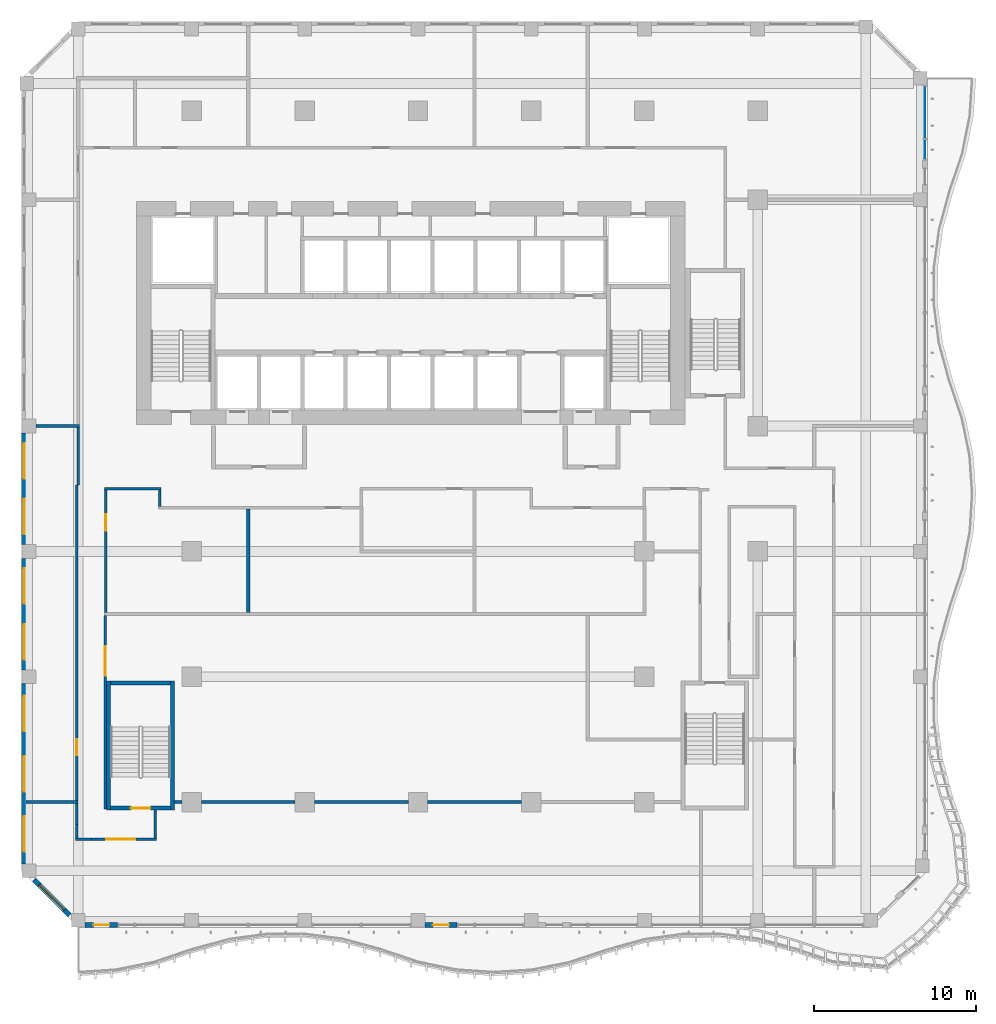
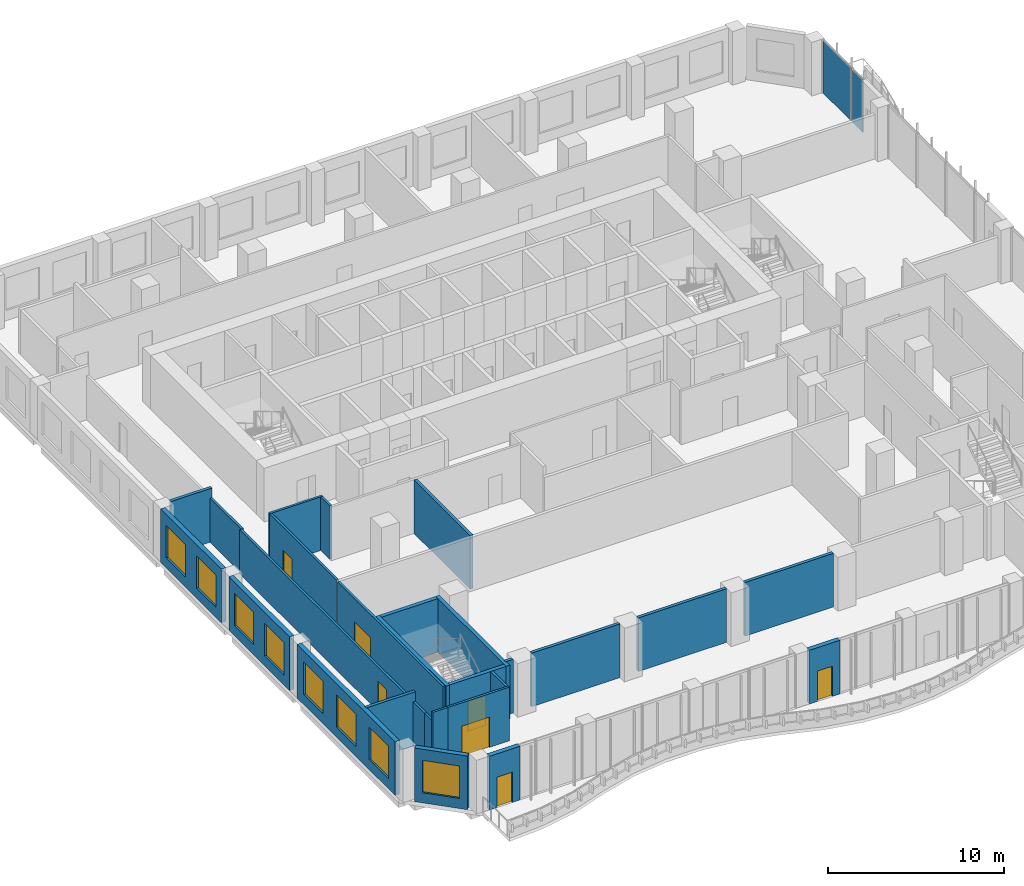
# One storey, part 12 of 27: 28 walls, 8 windows, 7 doors, 2 plates, 15 openings, 2 elements without a shape of their own.
"""IFC4 building model written with IfcOpenShell, lengths in metres."""

from ifc_helpers import new_model, si_unit, direction, frame, frame_2d, origin, origin_2d, place, context, subcontext, project, spatial, rectangle, extrude, source, transform, mapped, material, layer, layer_set, type_object, element, fill, aggregate, save


model = new_model("IFC4")

# Units and contexts
model_context = context("Model", 3, precision=1e-05, world=origin(), true_north=direction((0.0, 1.0)))
body_context = subcontext(model_context, "Body", "Model", "MODEL_VIEW")
ifc_project = project(units=[si_unit("LENGTHUNIT", "METRE"), si_unit("AREAUNIT", "SQUARE_METRE"), si_unit("VOLUMEUNIT", "CUBIC_METRE"), si_unit("PLANEANGLEUNIT", "RADIAN"), si_unit("MASSUNIT", "GRAM", prefix="KILO")], contexts=[model_context])

# Site, building, storey
site_placement = place(None, origin())
site = spatial("IfcSite", under=ifc_project, at=site_placement, CompositionType="ELEMENT")
building_placement = place(site_placement, origin())
building = spatial("IfcBuilding", under=site, at=building_placement, Name="Kilnfold Tower and Market Hall", CompositionType="ELEMENT")
storey_placement = place(building_placement, frame((0.0, 0.0, 112.60009765625)))
storey = spatial("IfcBuildingStorey", under=building, at=storey_placement, Name="L26", CompositionType="ELEMENT", Elevation=112.60009765625)

# Curtain wall, plate
ifc_material_1 = material(Name="Aluminium and double glazing", Category="aluminium")
curtain_wall_type = type_object("IfcCurtainWallType", Name="CW OF2 VALLEY GLAZING", PredefinedType="NOTDEFINED", material=ifc_material_1)
curtain_wall_1_placement = place(storey_placement, origin())
curtain_wall_1 = element("IfcCurtainWall", 1, at=curtain_wall_1_placement, inside=storey, type_object=curtain_wall_type, Name="Curtain wall CW2 L26 E", PredefinedType="NOTDEFINED")
ifc_material_2 = material(Name="Double glazed unit")
ifc_layer_1 = layer(ifc_material_2, 0.031982421875)
ifc_layer_set_1 = layer_set([ifc_layer_1], Name="Double glazed unit")
plate_type = type_object("IfcPlateType", Name="GLAZING PANEL 32", PredefinedType="CURTAIN_PANEL", material=ifc_layer_set_1)
shared_shape_1 = source(origin(), body_context, "Body", "SweptSolid", [
    extrude(rectangle(XDim=3.205078125, YDim=0.031982421875, at=origin_2d()), origin(), (0.0, 0.0, 1.0), 3.659912109375),
])
plate_1_placement = place(storey_placement, frame((32.85009765625, 27.41259765625, 0.0), z_axis=(0.0, 0.0, 1.0), x_axis=(0.0, 1.0, 0.0)))
plate_1 = element("IfcPlate", 2, at=plate_1_placement, type_object=plate_type, Name="CW2 panel 1.1", PredefinedType="CURTAIN_PANEL", context=body_context, shape_type="MappedRepresentation", body=[
    mapped(shared_shape_1, transform((0.0, 0.0, 0.0))),
])
aggregate(curtain_wall_1, [plate_1])

curtain_wall_2_placement = place(storey_placement, origin())
curtain_wall_2 = element("IfcCurtainWall", 3, at=curtain_wall_2_placement, inside=storey, type_object=curtain_wall_type, Name="Curtain wall CW2 L26 E", PredefinedType="NOTDEFINED")
shared_shape_2 = source(origin(), body_context, "Body", "SweptSolid", [
    extrude(rectangle(XDim=1.205078125, YDim=0.031982421875, at=origin_2d()), origin(), (0.0, 0.0, 1.0), 3.659912109375),
])
plate_2_placement = place(storey_placement, frame((32.85009765625, 25.08740234375, 0.0), z_axis=(0.0, 0.0, 1.0), x_axis=(0.0, 1.0, 0.0)))
plate_2 = element("IfcPlate", 4, at=plate_2_placement, type_object=plate_type, Name="CW2 panel 1.1", PredefinedType="CURTAIN_PANEL", context=body_context, shape_type="MappedRepresentation", body=[
    mapped(shared_shape_2, transform((0.0, 0.0, 0.0))),
])
aggregate(curtain_wall_2, [plate_2])

# Wall, opening, door
ifc_material_3 = material(Name="Gypsum board on steel studs", Category="steel")
ifc_layer_2 = layer(ifc_material_3, 0.14990234375)
ifc_layer_set_2 = layer_set([ifc_layer_2], Name="Gypsum board on steel studs")
wall_type_1 = type_object("IfcWallType", Name="WALL CORRIDOR 150", PredefinedType="PARTITIONING", material=ifc_layer_set_2)
wall_1_placement = place(storey_placement, frame((-19.60009765625, -15.159912109375, 0.0), z_axis=(0.0, 0.0, 1.0), x_axis=(0.0, 1.0, 0.0)))
wall_1 = element("IfcWall", 5, at=wall_1_placement, inside=storey, type_object=wall_type_1, Name="Partition LY17.1", PredefinedType="PARTITIONING", context=body_context, shape_type="SweptSolid", body=[
    extrude(rectangle(XDim=19.510009765625, YDim=0.14990234375, at=frame_2d((9.7548828125, 0.0))), origin(), (0.0, 0.0, 1.0), 3.06982421875),
])
opening_1_placement = place(wall_1_placement, frame((2.801025390625, 0.0, 0.0)))
opening_1 = element("IfcOpeningElement", 6, at=opening_1_placement, cuts=wall_1, Name="Opening D1", PredefinedType="OPENING", context=body_context, shape_type="SweptSolid", body=[
    extrude(rectangle(XDim=1.0, YDim=2.10009765625, at=frame_2d((0.5, 1.050048828125))), frame((0.0, 0.0849609375, 0.0), z_axis=(0.0, -1.0, 0.0), x_axis=(1.0, 0.0, 0.0)), (0.0, 0.0, 1.0), 0.169921875),
])
ifc_material_4 = material(Name="Timber veneer door leaf in steel frame", Category="steel")
door_type_1 = type_object("IfcDoorType", Name="DOOR ENTRY 1000 X2100", OperationType="NOTDEFINED", PredefinedType="DOOR", material=ifc_material_4)
door_1_placement = place(opening_1_placement, origin())
door_1 = element("IfcDoor", 7, at=door_1_placement, inside=storey, type_object=door_type_1, Name="Door D1", OperationType="SINGLE_SWING_RIGHT", OverallHeight=2.10009765625, OverallWidth=1.0, PredefinedType="DOOR", context=body_context, shape_type="SweptSolid", body=[
    extrude(rectangle(XDim=1.0, YDim=2.10009765625, at=frame_2d((0.5, 1.050048828125))), frame((0.0, 0.02490234375, 0.0), z_axis=(0.0, -1.0, 0.0), x_axis=(1.0, 0.0, 0.0)), (0.0, 0.0, 1.0), 0.050048828125),
])
fill(opening_1, door_1)

# Walls
wall_2_placement = place(storey_placement, frame((-19.5, 4.35009765625, 0.0), z_axis=(0.0, 0.0, 1.0), x_axis=(0.0, 1.0, 0.0)))
element("IfcWall", 8, at=wall_2_placement, inside=storey, type_object=wall_type_1, Name="Partition LY17.2", PredefinedType="PARTITIONING", context=body_context, shape_type="SweptSolid", body=[
    extrude(rectangle(XDim=3.559814453125, YDim=0.14990234375, at=frame_2d((1.77978515625, 0.0))), origin(), (0.0, 0.0, 1.0), 3.06982421875),
])
wall_3_placement = place(storey_placement, frame((-14.4599609375, 4.050048828125, 0.0), z_axis=(0.0, 0.0, 1.0), x_axis=(0.0, -1.0, 0.0)))
element("IfcWall", 9, at=wall_3_placement, inside=storey, type_object=wall_type_1, Name="Partition LY17.4", PredefinedType="PARTITIONING", context=body_context, shape_type="SweptSolid", body=[
    extrude(rectangle(XDim=1.025146484375, YDim=0.14990234375, at=frame_2d((0.5126953125, 0.0))), origin(), (0.0, 0.0, 1.0), 3.719970703125),
])
wall_4_placement = place(storey_placement, frame((-17.875, 4.125, 0.0), z_axis=(0.0, 0.0, 1.0), x_axis=(1.0, 0.0, 0.0)))
element("IfcWall", 10, at=wall_4_placement, inside=storey, type_object=wall_type_1, Name="Partition LY17.5", PredefinedType="PARTITIONING", context=body_context, shape_type="SweptSolid", body=[
    extrude(rectangle(XDim=3.489990234375, YDim=0.14990234375, at=frame_2d((1.7451171875, 0.0))), origin(), (0.0, 0.0, 1.0), 3.719970703125),
])

# Wall, opening, door
wall_5_placement = place(storey_placement, frame((-17.800048828125, -3.534912109375, 0.0), z_axis=(0.0, 0.0, 1.0), x_axis=(0.0, 1.0, 0.0)))
wall_5 = element("IfcWall", 11, at=wall_5_placement, inside=storey, type_object=wall_type_1, Name="Partition LY17.6", PredefinedType="PARTITIONING", context=body_context, shape_type="SweptSolid", body=[
    extrude(rectangle(XDim=7.5849609375, YDim=0.14990234375, at=frame_2d((3.79248046875, 0.0))), origin(), (0.0, 0.0, 1.0), 3.719970703125),
])
opening_2_placement = place(wall_5_placement, frame((5.06689453125, 0.0, 0.0)))
opening_2 = element("IfcOpeningElement", 12, at=opening_2_placement, cuts=wall_5, Name="Opening D1", PredefinedType="OPENING", context=body_context, shape_type="SweptSolid", body=[
    extrude(rectangle(XDim=1.0, YDim=2.10009765625, at=frame_2d((0.5, 1.050048828125))), frame((0.0, 0.0849609375, 0.0), z_axis=(0.0, -1.0, 0.0), x_axis=(1.0, 0.0, 0.0)), (0.0, 0.0, 1.0), 0.169921875),
])
door_2_placement = place(opening_2_placement, origin())
door_2 = element("IfcDoor", 13, at=door_2_placement, inside=storey, type_object=door_type_1, Name="Door D1", OperationType="SINGLE_SWING_LEFT", OverallHeight=2.10009765625, OverallWidth=1.0, PredefinedType="DOOR", context=body_context, shape_type="SweptSolid", body=[
    extrude(rectangle(XDim=1.0, YDim=2.10009765625, at=frame_2d((0.5, 1.050048828125))), frame((0.0, 0.02490234375, 0.0), z_axis=(0.0, -1.0, 0.0), x_axis=(1.0, 0.0, 0.0)), (0.0, 0.0, 1.0), 0.050048828125),
])
fill(opening_2, door_2)

wall_6_placement = place(storey_placement, frame((-17.830078125, -15.675048828125, 0.0), z_axis=(0.0, 0.0, 1.0), x_axis=(0.0, 1.0, 0.0)))
wall_6 = element("IfcWall", 14, at=wall_6_placement, inside=storey, type_object=wall_type_1, Name="Partition LY17.7", PredefinedType="PARTITIONING", context=body_context, shape_type="SweptSolid", body=[
    extrude(rectangle(XDim=11.9599609375, YDim=0.14990234375, at=frame_2d((5.97998046875, 0.0))), origin(), (0.0, 0.0, 1.0), 3.719970703125),
])
opening_3_placement = place(wall_6_placement, frame((8.2490234375, 0.0, 0.0)))
opening_3 = element("IfcOpeningElement", 15, at=opening_3_placement, cuts=wall_6, Name="Opening D5", PredefinedType="OPENING", context=body_context, shape_type="SweptSolid", body=[
    extrude(rectangle(XDim=1.800048828125, YDim=2.10009765625, at=frame_2d((0.89990234375, 1.050048828125))), frame((0.0, 0.0849609375, 0.0), z_axis=(0.0, -1.0, 0.0), x_axis=(1.0, 0.0, 0.0)), (0.0, 0.0, 1.0), 0.169921875),
])
ifc_material_5 = material(Name="Timber veneer door leaf in steel frame", Category="steel")
door_type_2 = type_object("IfcDoorType", Name="DOOR DOUBLE 1800 X2100", OperationType="NOTDEFINED", PredefinedType="DOOR", material=ifc_material_5)
door_3_placement = place(opening_3_placement, origin())
door_3 = element("IfcDoor", 16, at=door_3_placement, inside=storey, type_object=door_type_2, Name="Door D5", OperationType="DOUBLE_DOOR_SINGLE_SWING", OverallHeight=2.10009765625, OverallWidth=1.800048828125, PredefinedType="DOOR", context=body_context, shape_type="SweptSolid", body=[
    extrude(rectangle(XDim=1.800048828125, YDim=2.10009765625, at=frame_2d((0.89990234375, 1.050048828125))), frame((0.0, 0.02490234375, 0.0), z_axis=(0.0, -1.0, 0.0), x_axis=(1.0, 0.0, 0.0)), (0.0, 0.0, 1.0), 0.050048828125),
])
fill(opening_3, door_3)

# Walls
wall_7_placement = place(storey_placement, frame((-19.60009765625, -16.64794921875, 0.0), z_axis=(0.0, 0.0, 1.0), x_axis=(0.0, 1.0, 0.0)))
element("IfcWall", 17, at=wall_7_placement, inside=storey, type_object=wall_type_1, Name="Partition LY17.8", PredefinedType="PARTITIONING", context=body_context, shape_type="SweptSolid", body=[
    extrude(rectangle(XDim=1.307861328125, YDim=0.14990234375, at=frame_2d((0.65380859375, 0.0))), origin(), (0.0, 0.0, 1.0), 3.06982421875),
])
wall_8_placement = place(storey_placement, frame((-14.75, -17.47509765625, 0.0), z_axis=(0.0, 0.0, 1.0), x_axis=(0.0, 1.0, 0.0)))
element("IfcWall", 18, at=wall_8_placement, inside=storey, type_object=wall_type_1, Name="Partition LY17.9", PredefinedType="PARTITIONING", context=body_context, shape_type="SweptSolid", body=[
    extrude(rectangle(XDim=1.72509765625, YDim=0.14990234375, at=frame_2d((0.862548828125, 0.0))), origin(), (0.0, 0.0, 1.0), 3.719970703125),
])

# Wall, opening, door
wall_9_placement = place(storey_placement, frame((-18.697998046875, -17.550048828125, 0.0), z_axis=(0.0, 0.0, 1.0), x_axis=(1.0, 0.0, 0.0)))
wall_9 = element("IfcWall", 19, at=wall_9_placement, inside=storey, type_object=wall_type_1, Name="Partition LY17.10", PredefinedType="PARTITIONING", context=body_context, shape_type="SweptSolid", body=[
    extrude(rectangle(XDim=4.02294921875, YDim=0.14990234375, at=frame_2d((2.011474609375, 0.0))), origin(), (0.0, 0.0, 1.0), 3.719970703125),
])
opening_4_placement = place(wall_9_placement, frame((0.908935546875, 0.0, 0.0)))
opening_4 = element("IfcOpeningElement", 20, at=opening_4_placement, cuts=wall_9, Name="Opening D5", PredefinedType="OPENING", context=body_context, shape_type="SweptSolid", body=[
    extrude(rectangle(XDim=1.800048828125, YDim=2.10009765625, at=frame_2d((0.89990234375, 1.050048828125))), frame((0.0, 0.0849609375, 0.0), z_axis=(0.0, -1.0, 0.0), x_axis=(1.0, 0.0, 0.0)), (0.0, 0.0, 1.0), 0.169921875),
])
door_4_placement = place(opening_4_placement, origin())
door_4 = element("IfcDoor", 21, at=door_4_placement, inside=storey, type_object=door_type_2, Name="Door D5", OperationType="DOUBLE_DOOR_SINGLE_SWING", OverallHeight=2.10009765625, OverallWidth=1.800048828125, PredefinedType="DOOR", context=body_context, shape_type="SweptSolid", body=[
    extrude(rectangle(XDim=1.800048828125, YDim=2.10009765625, at=frame_2d((0.89990234375, 1.050048828125))), frame((0.0, 0.02490234375, 0.0), z_axis=(0.0, -1.0, 0.0), x_axis=(1.0, 0.0, 0.0)), (0.0, 0.0, 1.0), 0.050048828125),
])
fill(opening_4, door_4)

# Walls
wall_10_placement = place(storey_placement, frame((-19.677001953125, -17.552001953125, 0.0), z_axis=(0.0, 0.0, 1.0), x_axis=(1.0, 0.0, 0.0)))
element("IfcWall", 22, at=wall_10_placement, inside=storey, type_object=wall_type_1, Name="Partition LY17.11", PredefinedType="PARTITIONING", context=body_context, shape_type="SweptSolid", body=[
    extrude(rectangle(XDim=0.97900390625, YDim=0.14990234375, at=frame_2d((0.489501953125, 0.0))), origin(), (0.0, 0.0, 1.0), 3.719970703125),
])
wall_11_placement = place(storey_placement, frame((-19.60205078125, -16.64794921875, 0.0), z_axis=(0.0, 0.0, 1.0), x_axis=(0.0, -1.0, 0.0)))
element("IfcWall", 23, at=wall_11_placement, inside=storey, type_object=wall_type_1, Name="Partition LY17.12", PredefinedType="PARTITIONING", context=body_context, shape_type="SweptSolid", body=[
    extrude(rectangle(XDim=0.8291015625, YDim=0.14990234375, at=frame_2d((0.41455078125, 0.0))), origin(), (0.0, 0.0, 1.0), 3.06982421875),
])
ifc_material_6 = material(Name="Gypsum board on steel studs", Category="steel")
ifc_layer_3 = layer(ifc_material_6, 0.199951171875)
ifc_layer_set_3 = layer_set([ifc_layer_3], Name="Gypsum board on steel studs")
wall_type_2 = type_object("IfcWallType", Name="WALL PARTY 200", PredefinedType="PARTITIONING", material=ifc_layer_set_3)
wall_12_placement = place(storey_placement, frame((-22.75, -15.25, 0.0), z_axis=(0.0, 0.0, 1.0), x_axis=(1.0, 0.0, 0.0)))
element("IfcWall", 24, at=wall_12_placement, inside=storey, type_object=wall_type_2, Name="Partition LY17.38", PredefinedType="PARTITIONING", context=body_context, shape_type="SweptSolid", body=[
    extrude(rectangle(XDim=3.22412109375, YDim=0.199951171875, at=frame_2d((1.612060546875, 0.0))), origin(), (0.0, 0.0, 1.0), 3.719970703125),
])
wall_13_placement = place(storey_placement, frame((-22.125, 8.0, 0.0), z_axis=(0.0, 0.0, 1.0), x_axis=(1.0, 0.0, 0.0)))
element("IfcWall", 25, at=wall_13_placement, inside=storey, type_object=wall_type_2, Name="Partition LY17.39", PredefinedType="PARTITIONING", context=body_context, shape_type="SweptSolid", body=[
    extrude(rectangle(XDim=2.698974609375, YDim=0.199951171875, at=frame_2d((1.349609375, 0.0))), origin(), (0.0, 0.0, 1.0), 3.719970703125),
])
wall_14_placement = place(storey_placement, frame((-9.0, -3.52490234375, 0.0), z_axis=(0.0, 0.0, 1.0), x_axis=(0.0, 1.0, 0.0)))
element("IfcWall", 26, at=wall_14_placement, inside=storey, type_object=wall_type_2, Name="Partition LY17.41", PredefinedType="PARTITIONING", context=body_context, shape_type="SweptSolid", body=[
    extrude(rectangle(XDim=6.39892578125, YDim=0.199951171875, at=frame_2d((3.199462890625, 0.0))), origin(), (0.0, 0.0, 1.0), 3.719970703125),
])
for number, where, z_axis, x_axis, name in (
    (27, (2.10009765625, -15.25, 0.0), (0.0, 0.0, 1.0), (1.0, 0.0, 0.0), "Partition LY17.44"),
    (28, (-4.89990234375, -15.25, 0.0), (0.0, 0.0, 1.0), (1.0, 0.0, 0.0), "Partition LY17.45"),
    (29, (-11.89990234375, -15.25, 0.0), (0.0, 0.0, 1.0), (1.0, 0.0, 0.0), "Partition LY17.46"),
):
    element("IfcWall", number, at=place(storey_placement, frame(where, z_axis=z_axis, x_axis=x_axis)), inside=storey, type_object=wall_type_2, Name=name, PredefinedType="PARTITIONING", context=body_context, shape_type="SweptSolid", body=[
        extrude(rectangle(XDim=5.7998046875, YDim=0.199951171875, at=frame_2d((2.89990234375, 0.0))), origin(), (0.0, 0.0, 1.0), 3.719970703125),
    ])
wall_15_placement = place(storey_placement, frame((-13.60009765625, -15.25, 0.0), z_axis=(0.0, 0.0, 1.0), x_axis=(1.0, 0.0, 0.0)))
element("IfcWall", 30, at=wall_15_placement, inside=storey, type_object=wall_type_2, Name="Partition LY17.47", PredefinedType="PARTITIONING", context=body_context, shape_type="SweptSolid", body=[
    extrude(rectangle(XDim=0.5, YDim=0.199951171875, at=frame_2d((0.25, 0.0))), origin(), (0.0, 0.0, 1.0), 3.719970703125),
])

# Wall, opening, door
ifc_material_7 = material(Name="Concrete C70", Category="concrete")
ifc_layer_4 = layer(ifc_material_7, 0.25)
ifc_layer_set_4 = layer_set([ifc_layer_4], Name="Concrete C70")
wall_type_3 = type_object("IfcWallType", Name="CORE WALL 250 C70", PredefinedType="SHEAR", material=ifc_layer_set_4)
shared_shape_3 = source(origin(), body_context, "Body", "SweptSolid", [
    extrude(rectangle(XDim=3.699951171875, YDim=0.25, at=frame_2d((1.85009765625, 0.0))), origin(), (0.0, 0.0, 1.0), 3.719970703125),
])
wall_16_placement = place(storey_placement, frame((-17.5, -15.625, 0.0), z_axis=(0.0, 0.0, 1.0), x_axis=(1.0, 0.0, 0.0)))
wall_16 = element("IfcWall", 31, at=wall_16_placement, inside=storey, type_object=wall_type_3, Name="Stair enclosure ST3", PredefinedType="SHEAR", context=body_context, shape_type="MappedRepresentation", body=[
    mapped(shared_shape_3, transform((0.0, 0.0, 0.0))),
])
opening_5_placement = place(wall_16_placement, frame((1.25, 0.0, 0.0)))
opening_5 = element("IfcOpeningElement", 32, at=opening_5_placement, cuts=wall_16, Name="Opening SD1", PredefinedType="OPENING", context=body_context, shape_type="SweptSolid", body=[
    extrude(rectangle(XDim=1.199951171875, YDim=2.10009765625, at=frame_2d((0.60009765625, 1.050048828125))), frame((0.0, 0.135009765625, 0.0), z_axis=(0.0, -1.0, 0.0), x_axis=(1.0, 0.0, 0.0)), (0.0, 0.0, 1.0), 0.27001953125),
])
ifc_material_8 = material(Name="Steel door set with fire-resisting leaf", Category="steel")
door_type_3 = type_object("IfcDoorType", Name="STAIR FLOOR DOOR 1200X2100", OperationType="NOTDEFINED", PredefinedType="DOOR", material=ifc_material_8)
door_5_placement = place(opening_5_placement, origin())
door_5 = element("IfcDoor", 33, at=door_5_placement, inside=storey, type_object=door_type_3, Name="Exit stair ST3 door", OperationType="DOUBLE_DOOR_SINGLE_SWING", OverallHeight=2.10009765625, OverallWidth=1.199951171875, PredefinedType="DOOR", context=body_context, shape_type="SweptSolid", body=[
    extrude(rectangle(XDim=1.199951171875, YDim=2.10009765625, at=frame_2d((0.60009765625, 1.050048828125))), frame((0.0, 0.02490234375, 0.0), z_axis=(0.0, -1.0, 0.0), x_axis=(1.0, 0.0, 0.0)), (0.0, 0.0, 1.0), 0.050048828125),
])
fill(opening_5, door_5)

# Walls
wall_17_placement = place(storey_placement, frame((-17.5, -7.875, 0.0), z_axis=(0.0, 0.0, 1.0), x_axis=(1.0, 0.0, 0.0)))
element("IfcWall", 34, at=wall_17_placement, inside=storey, type_object=wall_type_3, Name="Stair enclosure ST3", PredefinedType="SHEAR", context=body_context, shape_type="MappedRepresentation", body=[
    mapped(shared_shape_3, transform((0.0, 0.0, 0.0))),
])
shared_shape_4 = source(origin(), body_context, "Body", "SweptSolid", [
    extrude(rectangle(XDim=8.0, YDim=0.25, at=frame_2d((4.0, 0.0))), origin(), (0.0, 0.0, 1.0), 3.719970703125),
])
for number, where, z_axis, x_axis, name in (
    (35, (-17.625, -15.75, 0.0), (0.0, 0.0, 1.0), (0.0, 1.0, 0.0), "Stair enclosure ST3"),
    (36, (-13.675048828125, -15.75, 0.0), (0.0, 0.0, 1.0), (0.0, 1.0, 0.0), "Stair enclosure ST3"),
):
    element("IfcWall", number, at=place(storey_placement, frame(where, z_axis=z_axis, x_axis=x_axis)), inside=storey, type_object=wall_type_3, Name=name, PredefinedType="SHEAR", context=body_context, shape_type="MappedRepresentation", body=[
        mapped(shared_shape_4, transform((0.0, 0.0, 0.0))),
    ])

# Wall, opening, door
ifc_material_9 = material(Name="Precast concrete C50/60", Category="concrete")
ifc_layer_5 = layer(ifc_material_9, 0.300048828125)
ifc_layer_set_5 = layer_set([ifc_layer_5], Name="Precast concrete C50/60")
wall_type_4 = type_object("IfcWallType", Name="PRECAST WALL 300", PredefinedType="SOLIDWALL", material=ifc_layer_set_5)
shared_shape_5 = source(origin(), body_context, "Body", "SweptSolid", [
    extrude(rectangle(XDim=2.0, YDim=0.300048828125, at=frame_2d((1.0, 0.0))), origin(), (0.0, 0.0, 1.0), 3.719970703125),
])
wall_18_placement = place(storey_placement, frame((-19.074951171875, -22.85009765625, 0.0), z_axis=(0.0, 0.0, 1.0), x_axis=(1.0, 0.0, 0.0)))
wall_18 = element("IfcWall", 37, at=wall_18_placement, inside=storey, type_object=wall_type_4, Name="External wall L26 S", PredefinedType="SOLIDWALL", context=body_context, shape_type="MappedRepresentation", body=[
    mapped(shared_shape_5, transform((0.0, 0.0, 0.0))),
])
opening_6_placement = place(wall_18_placement, frame((0.5, 0.0, 0.0)))
opening_6 = element("IfcOpeningElement", 38, at=opening_6_placement, cuts=wall_18, Name="Opening BD1", PredefinedType="OPENING", context=body_context, shape_type="SweptSolid", body=[
    extrude(rectangle(XDim=1.0, YDim=2.10009765625, at=frame_2d((0.5, 1.050048828125))), frame((0.0, 0.16015625, 0.0), z_axis=(0.0, -1.0, 0.0), x_axis=(1.0, 0.0, 0.0)), (0.0, 0.0, 1.0), 0.320068359375),
])
ifc_material_10 = material(Name="Aluminium frame and double glazing", Category="aluminium")
door_type_4 = type_object("IfcDoorType", Name="BALCONY DOOR 1000X2100", OperationType="NOTDEFINED", PredefinedType="DOOR", material=ifc_material_10)
door_6_placement = place(opening_6_placement, origin())
door_6 = element("IfcDoor", 39, at=door_6_placement, inside=storey, type_object=door_type_4, Name="Balcony door BD1 L26 S-1", OperationType="SINGLE_SWING_LEFT", OverallHeight=2.10009765625, OverallWidth=1.0, PredefinedType="DOOR", context=body_context, shape_type="SweptSolid", body=[
    extrude(rectangle(XDim=1.0, YDim=2.10009765625, at=frame_2d((0.5, 1.050048828125))), frame((0.0, 0.02490234375, 0.0), z_axis=(0.0, -1.0, 0.0), x_axis=(1.0, 0.0, 0.0)), (0.0, 0.0, 1.0), 0.050048828125),
])
fill(opening_6, door_6)

wall_19_placement = place(storey_placement, frame((1.925048828125, -22.85009765625, 0.0), z_axis=(0.0, 0.0, 1.0), x_axis=(1.0, 0.0, 0.0)))
wall_19 = element("IfcWall", 40, at=wall_19_placement, inside=storey, type_object=wall_type_4, Name="External wall L26 S", PredefinedType="SOLIDWALL", context=body_context, shape_type="MappedRepresentation", body=[
    mapped(shared_shape_5, transform((0.0, 0.0, 0.0))),
])
opening_7_placement = place(wall_19_placement, frame((0.5, 0.0, 0.0)))
opening_7 = element("IfcOpeningElement", 41, at=opening_7_placement, cuts=wall_19, Name="Opening BD1", PredefinedType="OPENING", context=body_context, shape_type="SweptSolid", body=[
    extrude(rectangle(XDim=1.0, YDim=2.10009765625, at=frame_2d((0.5, 1.050048828125))), frame((0.0, 0.16015625, 0.0), z_axis=(0.0, -1.0, 0.0), x_axis=(1.0, 0.0, 0.0)), (0.0, 0.0, 1.0), 0.320068359375),
])
door_7_placement = place(opening_7_placement, origin())
door_7 = element("IfcDoor", 42, at=door_7_placement, inside=storey, type_object=door_type_4, Name="Balcony door BD1 L26 S-1", OperationType="SINGLE_SWING_LEFT", OverallHeight=2.10009765625, OverallWidth=1.0, PredefinedType="DOOR", context=body_context, shape_type="SweptSolid", body=[
    extrude(rectangle(XDim=1.0, YDim=2.10009765625, at=frame_2d((0.5, 1.050048828125))), frame((0.0, 0.02490234375, 0.0), z_axis=(0.0, -1.0, 0.0), x_axis=(1.0, 0.0, 0.0)), (0.0, 0.0, 1.0), 0.050048828125),
])
fill(opening_7, door_7)

# Wall, openings, windows
shared_shape_6 = source(origin(), body_context, "Body", "SweptSolid", [
    extrude(rectangle(XDim=6.89990234375, YDim=0.300048828125, at=frame_2d((3.449951171875, 0.0))), origin(), (0.0, 0.0, 1.0), 3.719970703125),
])
wall_20_placement = place(storey_placement, frame((-22.85009765625, 7.574951171875, 0.0), z_axis=(0.0, 0.0, 1.0), x_axis=(0.0, -1.0, 0.0)))
wall_20 = element("IfcWall", 43, at=wall_20_placement, inside=storey, type_object=wall_type_4, Name="External wall L26 W", PredefinedType="SOLIDWALL", context=body_context, shape_type="MappedRepresentation", body=[
    mapped(shared_shape_6, transform((0.0, 0.0, 0.0))),
])
opening_8_placement = place(wall_20_placement, frame((0.625, 0.0, 0.699951171875)))
opening_8 = element("IfcOpeningElement", 44, at=opening_8_placement, cuts=wall_20, Name="Opening W1", PredefinedType="OPENING", context=body_context, shape_type="SweptSolid", body=[
    extrude(rectangle(XDim=2.199951171875, YDim=2.25, at=frame_2d((1.10009765625, 1.125))), frame((0.0, 0.16015625, 0.0), z_axis=(0.0, -1.0, 0.0), x_axis=(1.0, 0.0, 0.0)), (0.0, 0.0, 1.0), 0.320068359375),
])
opening_9_placement = place(wall_20_placement, frame((4.074951171875, 0.0, 0.699951171875)))
opening_9 = element("IfcOpeningElement", 45, at=opening_9_placement, cuts=wall_20, Name="Opening W1", PredefinedType="OPENING", context=body_context, shape_type="SweptSolid", body=[
    extrude(rectangle(XDim=2.199951171875, YDim=2.25, at=frame_2d((1.10009765625, 1.125))), frame((0.0, 0.16015625, 0.0), z_axis=(0.0, -1.0, 0.0), x_axis=(1.0, 0.0, 0.0)), (0.0, 0.0, 1.0), 0.320068359375),
])
ifc_material_11 = material(Name="Aluminium frame and double glazing", Category="aluminium")
window_type = type_object("IfcWindowType", Name="WINDOW W1 2200X2250", PartitioningType="SINGLE_PANEL", PredefinedType="WINDOW", material=ifc_material_11)
window_1_placement = place(opening_8_placement, origin())
window_1 = element("IfcWindow", 46, at=window_1_placement, inside=storey, type_object=window_type, Name="Window W1 L26 W-1", OverallHeight=2.25, OverallWidth=2.199951171875, PartitioningType="SINGLE_PANEL", PredefinedType="WINDOW", context=body_context, shape_type="SweptSolid", body=[
    extrude(rectangle(XDim=2.199951171875, YDim=2.25, at=frame_2d((1.10009765625, 1.125))), frame((0.0, 0.030029296875, 0.0), z_axis=(0.0, -1.0, 0.0), x_axis=(1.0, 0.0, 0.0)), (0.0, 0.0, 1.0), 0.06005859375),
])
fill(opening_8, window_1)
window_2_placement = place(opening_9_placement, origin())
window_2 = element("IfcWindow", 47, at=window_2_placement, inside=storey, type_object=window_type, Name="Window W1 L26 W-2", OverallHeight=2.25, OverallWidth=2.199951171875, PartitioningType="SINGLE_PANEL", PredefinedType="WINDOW", context=body_context, shape_type="SweptSolid", body=[
    extrude(rectangle(XDim=2.199951171875, YDim=2.25, at=frame_2d((1.10009765625, 1.125))), frame((0.0, 0.030029296875, 0.0), z_axis=(0.0, -1.0, 0.0), x_axis=(1.0, 0.0, 0.0)), (0.0, 0.0, 1.0), 0.06005859375),
])
fill(opening_9, window_2)

wall_21_placement = place(storey_placement, frame((-22.85009765625, -0.175048828125, 0.0), z_axis=(0.0, 0.0, 1.0), x_axis=(0.0, -1.0, 0.0)))
wall_21 = element("IfcWall", 48, at=wall_21_placement, inside=storey, type_object=wall_type_4, Name="External wall L26 W", PredefinedType="SOLIDWALL", context=body_context, shape_type="MappedRepresentation", body=[
    mapped(shared_shape_6, transform((0.0, 0.0, 0.0))),
])
opening_10_placement = place(wall_21_placement, frame((0.625, 0.0, 0.699951171875)))
opening_10 = element("IfcOpeningElement", 49, at=opening_10_placement, cuts=wall_21, Name="Opening W1", PredefinedType="OPENING", context=body_context, shape_type="SweptSolid", body=[
    extrude(rectangle(XDim=2.199951171875, YDim=2.25, at=frame_2d((1.10009765625, 1.125))), frame((0.0, 0.16015625, 0.0), z_axis=(0.0, -1.0, 0.0), x_axis=(1.0, 0.0, 0.0)), (0.0, 0.0, 1.0), 0.320068359375),
])
opening_11_placement = place(wall_21_placement, frame((4.074951171875, 0.0, 0.699951171875)))
opening_11 = element("IfcOpeningElement", 50, at=opening_11_placement, cuts=wall_21, Name="Opening W1", PredefinedType="OPENING", context=body_context, shape_type="SweptSolid", body=[
    extrude(rectangle(XDim=2.199951171875, YDim=2.25, at=frame_2d((1.10009765625, 1.125))), frame((0.0, 0.16015625, 0.0), z_axis=(0.0, -1.0, 0.0), x_axis=(1.0, 0.0, 0.0)), (0.0, 0.0, 1.0), 0.320068359375),
])
window_3_placement = place(opening_10_placement, origin())
window_3 = element("IfcWindow", 51, at=window_3_placement, inside=storey, type_object=window_type, Name="Window W1 L26 W-1", OverallHeight=2.25, OverallWidth=2.199951171875, PartitioningType="SINGLE_PANEL", PredefinedType="WINDOW", context=body_context, shape_type="SweptSolid", body=[
    extrude(rectangle(XDim=2.199951171875, YDim=2.25, at=frame_2d((1.10009765625, 1.125))), frame((0.0, 0.030029296875, 0.0), z_axis=(0.0, -1.0, 0.0), x_axis=(1.0, 0.0, 0.0)), (0.0, 0.0, 1.0), 0.06005859375),
])
fill(opening_10, window_3)
window_4_placement = place(opening_11_placement, origin())
window_4 = element("IfcWindow", 52, at=window_4_placement, inside=storey, type_object=window_type, Name="Window W1 L26 W-2", OverallHeight=2.25, OverallWidth=2.199951171875, PartitioningType="SINGLE_PANEL", PredefinedType="WINDOW", context=body_context, shape_type="SweptSolid", body=[
    extrude(rectangle(XDim=2.199951171875, YDim=2.25, at=frame_2d((1.10009765625, 1.125))), frame((0.0, 0.030029296875, 0.0), z_axis=(0.0, -1.0, 0.0), x_axis=(1.0, 0.0, 0.0)), (0.0, 0.0, 1.0), 0.06005859375),
])
fill(opening_11, window_4)

shared_shape_7 = source(origin(), body_context, "Body", "SweptSolid", [
    extrude(rectangle(XDim=11.14990234375, YDim=0.300048828125, at=frame_2d((5.574951171875, 0.0))), origin(), (0.0, 0.0, 1.0), 3.719970703125),
])
wall_22_placement = place(storey_placement, frame((-22.85009765625, -7.925048828125, 0.0), z_axis=(0.0, 0.0, 1.0), x_axis=(0.0, -1.0, 0.0)))
wall_22 = element("IfcWall", 53, at=wall_22_placement, inside=storey, type_object=wall_type_4, Name="External wall L26 W", PredefinedType="SOLIDWALL", context=body_context, shape_type="MappedRepresentation", body=[
    mapped(shared_shape_7, transform((0.0, 0.0, 0.0))),
])
opening_12_placement = place(wall_22_placement, frame((0.75830078125, 0.0, 0.699951171875)))
opening_12 = element("IfcOpeningElement", 54, at=opening_12_placement, cuts=wall_22, Name="Opening W1", PredefinedType="OPENING", context=body_context, shape_type="SweptSolid", body=[
    extrude(rectangle(XDim=2.199951171875, YDim=2.25, at=frame_2d((1.10009765625, 1.125))), frame((0.0, 0.16015625, 0.0), z_axis=(0.0, -1.0, 0.0), x_axis=(1.0, 0.0, 0.0)), (0.0, 0.0, 1.0), 0.320068359375),
])
opening_13_placement = place(wall_22_placement, frame((4.47509765625, 0.0, 0.699951171875)))
opening_13 = element("IfcOpeningElement", 55, at=opening_13_placement, cuts=wall_22, Name="Opening W1", PredefinedType="OPENING", context=body_context, shape_type="SweptSolid", body=[
    extrude(rectangle(XDim=2.199951171875, YDim=2.25, at=frame_2d((1.10009765625, 1.125))), frame((0.0, 0.16015625, 0.0), z_axis=(0.0, -1.0, 0.0), x_axis=(1.0, 0.0, 0.0)), (0.0, 0.0, 1.0), 0.320068359375),
])
opening_14_placement = place(wall_22_placement, frame((8.191650390625, 0.0, 0.699951171875)))
opening_14 = element("IfcOpeningElement", 56, at=opening_14_placement, cuts=wall_22, Name="Opening W1", PredefinedType="OPENING", context=body_context, shape_type="SweptSolid", body=[
    extrude(rectangle(XDim=2.199951171875, YDim=2.25, at=frame_2d((1.10009765625, 1.125))), frame((0.0, 0.16015625, 0.0), z_axis=(0.0, -1.0, 0.0), x_axis=(1.0, 0.0, 0.0)), (0.0, 0.0, 1.0), 0.320068359375),
])
window_5_placement = place(opening_12_placement, origin())
window_5 = element("IfcWindow", 57, at=window_5_placement, inside=storey, type_object=window_type, Name="Window W1 L26 W-1", OverallHeight=2.25, OverallWidth=2.199951171875, PartitioningType="SINGLE_PANEL", PredefinedType="WINDOW", context=body_context, shape_type="SweptSolid", body=[
    extrude(rectangle(XDim=2.199951171875, YDim=2.25, at=frame_2d((1.10009765625, 1.125))), frame((0.0, 0.030029296875, 0.0), z_axis=(0.0, -1.0, 0.0), x_axis=(1.0, 0.0, 0.0)), (0.0, 0.0, 1.0), 0.06005859375),
])
fill(opening_12, window_5)
window_6_placement = place(opening_13_placement, origin())
window_6 = element("IfcWindow", 58, at=window_6_placement, inside=storey, type_object=window_type, Name="Window W1 L26 W-2", OverallHeight=2.25, OverallWidth=2.199951171875, PartitioningType="SINGLE_PANEL", PredefinedType="WINDOW", context=body_context, shape_type="SweptSolid", body=[
    extrude(rectangle(XDim=2.199951171875, YDim=2.25, at=frame_2d((1.10009765625, 1.125))), frame((0.0, 0.030029296875, 0.0), z_axis=(0.0, -1.0, 0.0), x_axis=(1.0, 0.0, 0.0)), (0.0, 0.0, 1.0), 0.06005859375),
])
fill(opening_13, window_6)
window_7_placement = place(opening_14_placement, origin())
window_7 = element("IfcWindow", 59, at=window_7_placement, inside=storey, type_object=window_type, Name="Window W1 L26 W-3", OverallHeight=2.25, OverallWidth=2.199951171875, PartitioningType="SINGLE_PANEL", PredefinedType="WINDOW", context=body_context, shape_type="SweptSolid", body=[
    extrude(rectangle(XDim=2.199951171875, YDim=2.25, at=frame_2d((1.10009765625, 1.125))), frame((0.0, 0.030029296875, 0.0), z_axis=(0.0, -1.0, 0.0), x_axis=(1.0, 0.0, 0.0)), (0.0, 0.0, 1.0), 0.06005859375),
])
fill(opening_14, window_7)

# Wall, opening, window
shared_shape_8 = source(origin(), body_context, "Body", "SweptSolid", [
    extrude(rectangle(XDim=3.111083984375, YDim=0.300048828125, at=frame_2d((1.5556640625, 0.0))), origin(), (0.0, 0.0, 1.0), 3.719970703125),
])
wall_23_placement = place(storey_placement, frame((-22.243896484375, -20.0439453125, 0.0), z_axis=(0.0, 0.0, 1.0), x_axis=(0.707106781187, -0.707106781187, 0.0)))
wall_23 = element("IfcWall", 60, at=wall_23_placement, inside=storey, type_object=wall_type_4, Name="External wall L26 SW", PredefinedType="SOLIDWALL", context=body_context, shape_type="MappedRepresentation", body=[
    mapped(shared_shape_8, transform((0.0, 0.0, 0.0))),
])
opening_15_placement = place(wall_23_placement, frame((0.45556640625, 0.0, 0.699951171875)))
opening_15 = element("IfcOpeningElement", 61, at=opening_15_placement, cuts=wall_23, Name="Opening W1", PredefinedType="OPENING", context=body_context, shape_type="SweptSolid", body=[
    extrude(rectangle(XDim=2.199951171875, YDim=2.25, at=frame_2d((1.10009765625, 1.125))), frame((0.0, 0.16015625, 0.0), z_axis=(0.0, -1.0, 0.0), x_axis=(1.0, 0.0, 0.0)), (0.0, 0.0, 1.0), 0.320068359375),
])
window_8_placement = place(opening_15_placement, origin())
window_8 = element("IfcWindow", 62, at=window_8_placement, inside=storey, type_object=window_type, Name="Window W1 L26 SW-1", OverallHeight=2.25, OverallWidth=2.199951171875, PartitioningType="SINGLE_PANEL", PredefinedType="WINDOW", context=body_context, shape_type="SweptSolid", body=[
    extrude(rectangle(XDim=2.199951171875, YDim=2.25, at=frame_2d((1.10009765625, 1.125))), frame((0.0, 0.030029296875, 0.0), z_axis=(0.0, -1.0, 0.0), x_axis=(1.0, 0.0, 0.0)), (0.0, 0.0, 1.0), 0.06005859375),
])
fill(opening_15, window_8)

save(model, "model.ifc")
